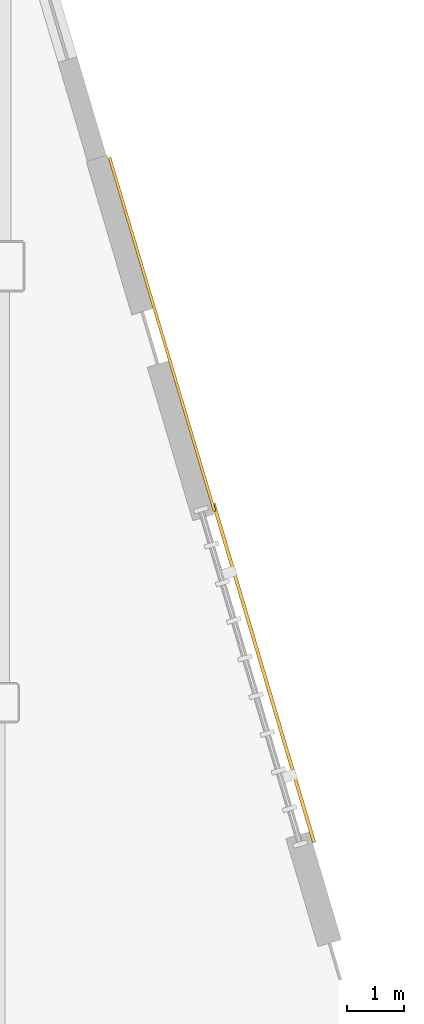
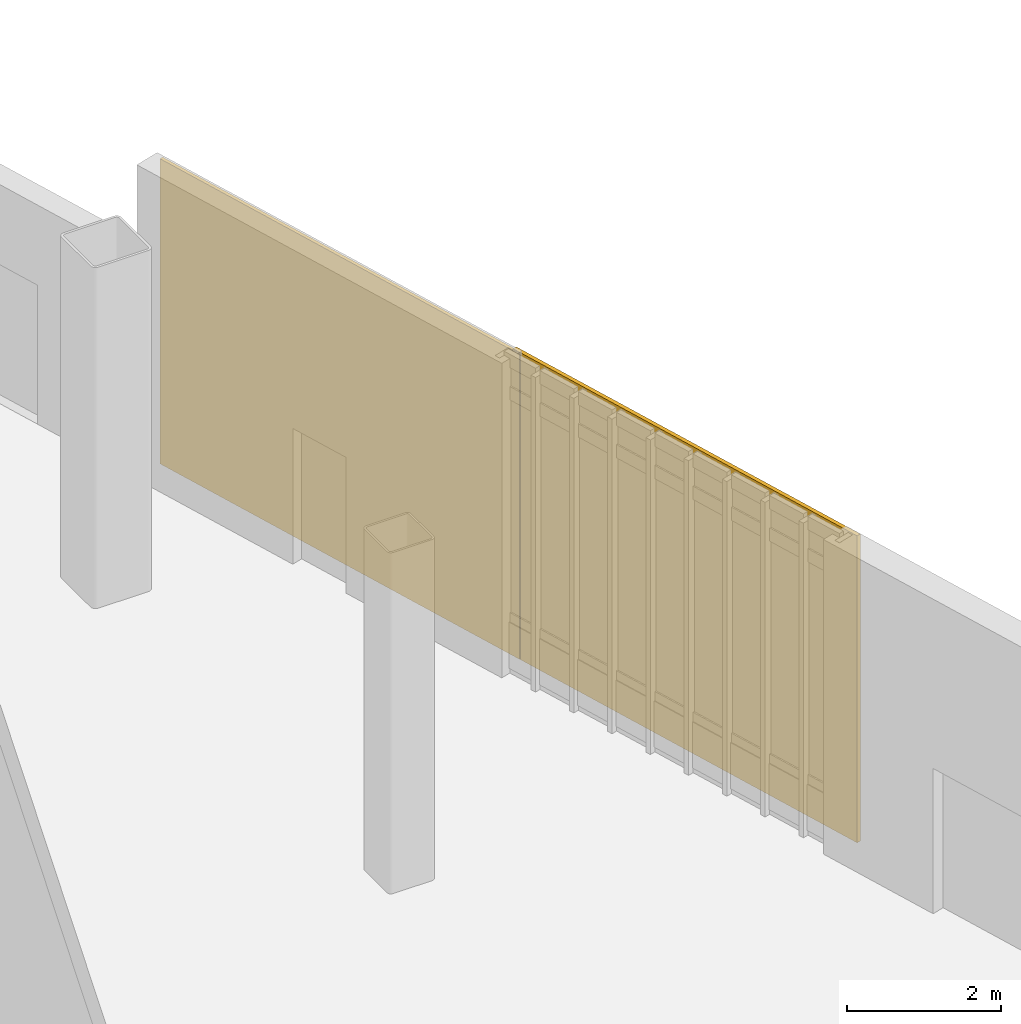
# One storey, part 110 of 111: 1 covering, 1 shading device.
"""IFC4 building model written with IfcOpenShell, lengths in metres."""

from ifc_helpers import new_model, si_unit, direction, frame, origin, origin_2d, place, context, subcontext, project, spatial, rectangle, extrude, material, layer, layer_set, type_object, element, save


model = new_model("IFC4")

# Units and contexts
model_context = context("Model", 3, precision=1e-05, world=origin(), true_north=direction((0.0, 1.0)))
body_context = subcontext(model_context, "Body", "Model", "MODEL_VIEW")
ifc_project = project(units=[si_unit("LENGTHUNIT", "METRE"), si_unit("AREAUNIT", "SQUARE_METRE"), si_unit("VOLUMEUNIT", "CUBIC_METRE"), si_unit("PLANEANGLEUNIT", "RADIAN"), si_unit("MASSUNIT", "GRAM", prefix="KILO")], contexts=[model_context])

# Site, building, storey
site_placement = place(None, origin())
site = spatial("IfcSite", under=ifc_project, at=site_placement, CompositionType="ELEMENT")
building_placement = place(site_placement, origin())
building = spatial("IfcBuilding", under=site, at=building_placement, Name="Larkvane Passage Sports Hall", CompositionType="ELEMENT")
storey_placement = place(building_placement, origin())
storey = spatial("IfcBuildingStorey", under=building, at=storey_placement, Name="L00", CompositionType="ELEMENT", Elevation=0.0)

# Covering
ifc_material = material(Name="Perforated anodised aluminium 5052-H32", Category="aluminium")
ifc_layer_1 = layer(ifc_material, 0.050048828125)
ifc_layer_set_1 = layer_set([ifc_layer_1], Name="Perforated anodised aluminium 5052-H32")
covering_type = type_object("IfcCoveringType", Name="COV-MESH-VEIL", PredefinedType="CLADDING", material=ifc_layer_set_1)
covering_placement = place(storey_placement, frame((148.43359375, 90.411865234375, 0.074951171875), z_axis=(0.0, 0.0, 1.0), x_axis=(0.284364947432, -0.958716108487, 0.0)))
element("IfcCovering", 1, at=covering_placement, inside=storey, type_object=covering_type, Name="Perforated cladding cassette L00-040", PredefinedType="CLADDING", context=body_context, shape_type="SweptSolid", body=[
    extrude(rectangle(XDim=6.423583984375, YDim=0.050048828125, at=origin_2d()), origin(), (0.0, 0.0, 1.0), 4.830078125),
])

# Shading device
ifc_layer_2 = layer(ifc_material, 0.06005859375)
ifc_layer_set_2 = layer_set([ifc_layer_2], Name="Perforated anodised aluminium 5052-H32")
shading_device_type = type_object("IfcShadingDeviceType", Name="SHD-VEIL-PERF", PredefinedType="SHUTTER", material=ifc_layer_set_2)
shading_device_placement = place(storey_placement, frame((150.205078125, 84.518310546875, 0.06005859375), z_axis=(0.0, 0.0, 1.0), x_axis=(0.284364947432, -0.958716108487, 0.0)))
element("IfcShadingDevice", 2, at=shading_device_placement, inside=storey, type_object=shading_device_type, Name="Solar veil screen L00-014", PredefinedType="SHUTTER", context=body_context, shape_type="SweptSolid", body=[
    extrude(rectangle(XDim=6.154052734375, YDim=0.06005859375, at=origin_2d()), origin(), (0.0, 0.0, 1.0), 4.860107421875),
])

save(model, "model.ifc")
